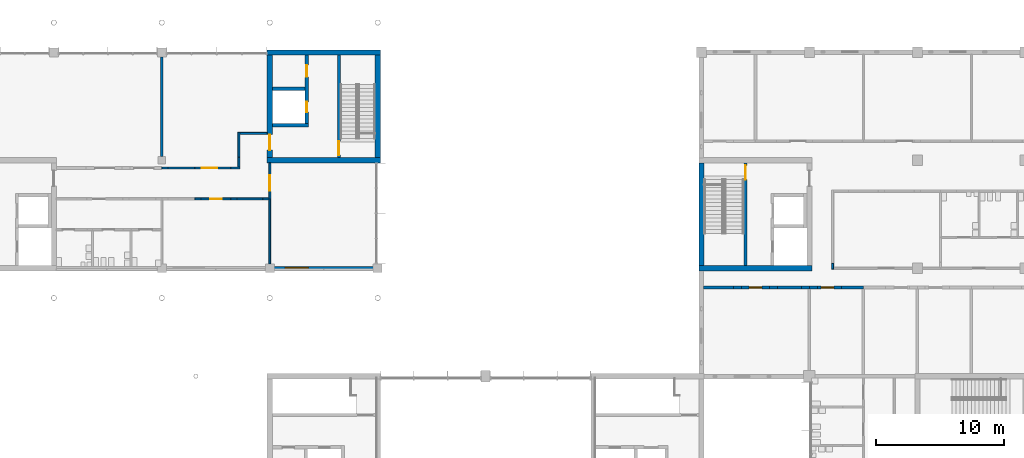
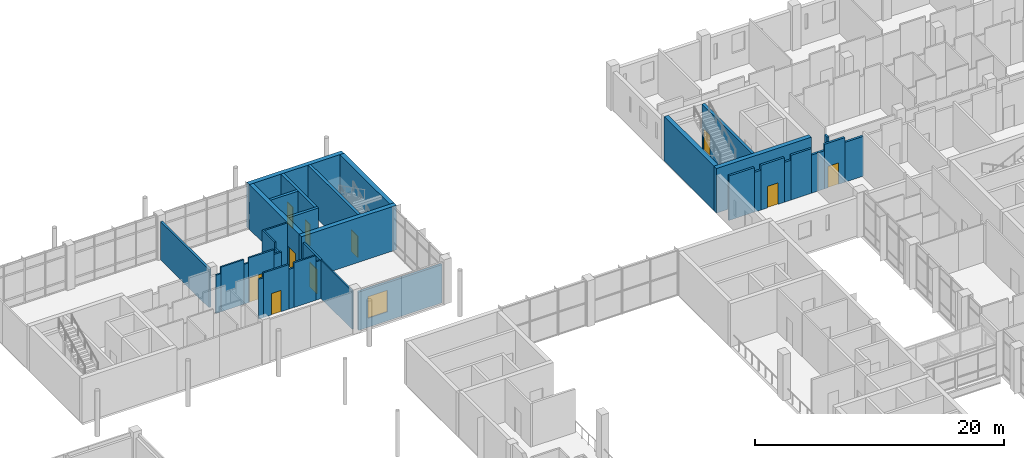
# One storey, part 45 of 70: 38 walls, 10 doors, 1 window, 11 openings.
"""IFC4 building model written with IfcOpenShell, lengths in metres."""

import ifcopenshell
import ifcopenshell.guid

model = None  # the IFC model being written
_history = None  # IfcOwnerHistory: only IFC2X3 demands one
_inside = {}  # id of a spatial element -> (the spatial element, [elements in it])
_under = {}  # id of a project, library or spatial element -> (it, [spatial elements below it])
_declared = {}  # id of a project -> (the project, [libraries it declares])
_typed = {}  # id of a type object -> (the type object, [elements of that type])
_made_of = {}  # id of a material, layer set ... -> (it, [elements and type objects made of it])


def new_model(schema):
    """Start an empty IFC model of exactly this schema.

    Asked for "IFC4X3", IfcOpenShell would pick the latest addendum, in which some entities
    have other attributes; the version numbers below select the first issue.
    IFC2X3 requires an IfcOwnerHistory on every rooted entity: one is made here for all.
    """
    global model, _history
    if schema == "IFC4X3":
        model = ifcopenshell.file(schema_version=(4, 3, 0, 0))
    else:
        model = ifcopenshell.file(schema=schema)
    _inside.clear()
    _under.clear()
    _declared.clear()
    _typed.clear()
    _made_of.clear()
    _history = None
    if model.schema == "IFC2X3":
        org = make("IfcOrganization", Name="unknown")
        user = make(
            "IfcPersonAndOrganization",
            ThePerson=make("IfcPerson", FamilyName="unknown"),
            TheOrganization=org,
        )
        app = make(
            "IfcApplication",
            ApplicationDeveloper=org,
            Version="unknown",
            ApplicationFullName="unknown",
            ApplicationIdentifier="unknown",
        )
        _history = make(
            "IfcOwnerHistory",
            OwningUser=user,
            OwningApplication=app,
            ChangeAction="ADDED",
            CreationDate=0,
        )
    return model


def make(cls, **values):
    """One entity of the class cls with the attributes given. An attribute that is None is left unset."""
    return model.create_entity(
        cls, **{name: value for name, value in values.items() if value is not None}
    )


def rooted(cls, **values):
    """An entity with a GlobalId (a new one), such as an element, a storey or a relation."""
    return make(cls, GlobalId=ifcopenshell.guid.new(), OwnerHistory=_history, **values)


def si_unit(unit_type, name, prefix=None):
    """IfcSIUnit, for example si_unit("LENGTHUNIT", "METRE", prefix="MILLI")."""
    return make("IfcSIUnit", UnitType=unit_type, Prefix=prefix, Name=name)


def assignment(units):
    """IfcUnitAssignment: the units of a project."""
    return None if units is None else make("IfcUnitAssignment", Units=units)


def point(xyz):
    """IfcCartesianPoint."""
    return None if xyz is None else make("IfcCartesianPoint", Coordinates=xyz)


def direction(xyz):
    """IfcDirection."""
    return None if xyz is None else make("IfcDirection", DirectionRatios=xyz)


def frame(location, z_axis=None, x_axis=None):
    """IfcAxis2Placement3D, a coordinate frame: its origin and axes. An axis left out is left unset."""
    return make(
        "IfcAxis2Placement3D",
        Location=point(location),
        Axis=direction(z_axis),
        RefDirection=direction(x_axis),
    )


def frame_2d(location, x_axis=None):
    """IfcAxis2Placement2D, a coordinate frame in the plane: its origin and x axis."""
    return make(
        "IfcAxis2Placement2D", Location=point(location), RefDirection=direction(x_axis)
    )


def origin():
    """The frame at (0, 0, 0) with its axes left unset."""
    return frame((0.0, 0.0, 0.0))


def place(relative_to, where):
    """IfcLocalPlacement: puts the frame where relative to a parent placement (None: the world)."""
    return make(
        "IfcLocalPlacement", PlacementRelTo=relative_to, RelativePlacement=where
    )


def context(
    kind, dimensions, precision=None, world=None, true_north=None, identifier=None
):
    """IfcGeometricRepresentationContext, for example the 3D "Model" context."""
    return make(
        "IfcGeometricRepresentationContext",
        ContextIdentifier=identifier,
        ContextType=kind,
        CoordinateSpaceDimension=dimensions,
        Precision=precision,
        WorldCoordinateSystem=world,
        TrueNorth=true_north,
    )


def subcontext(parent, identifier, kind, view, scale=None):
    """IfcGeometricRepresentationSubContext, for example "Body" below "Model"."""
    return make(
        "IfcGeometricRepresentationSubContext",
        ContextIdentifier=identifier,
        ContextType=kind,
        ParentContext=parent,
        TargetScale=scale,
        TargetView=view,
    )


def project(units=None, contexts=None):
    """IfcProject with its units and contexts."""
    return rooted(
        "IfcProject",
        Name="project",
        RepresentationContexts=contexts,
        UnitsInContext=assignment(units),
    )


def spatial(cls, under=None, at=None, **own):
    """A site, building, storey or space (cls), placed at a placement, below another one or the project."""
    s = rooted(cls, ObjectPlacement=at, **own)
    if under is not None:
        _under.setdefault(under.id(), (under, []))[1].append(s)
    return s


def profile(cls, at=None, kind="AREA", **sizes):
    """A parametric profile (cls). Its sizes go by their IFC names, for example OverallWidth=200.0."""
    return make(cls, ProfileType=kind, Position=at, **sizes)


def rectangle(**sizes):
    """IfcRectangleProfileDef."""
    return profile("IfcRectangleProfileDef", **sizes)


def extrude(swept, where, along, depth):
    """IfcExtrudedAreaSolid: the profile swept, set in the frame where, extruded along a direction by depth."""
    return make(
        "IfcExtrudedAreaSolid",
        SweptArea=swept,
        Position=where,
        ExtrudedDirection=direction(along),
        Depth=depth,
    )


def shape(context_of_items, identifier, shape_type, items):
    """IfcShapeRepresentation: the items that make up one representation, for example the "Body"."""
    return make(
        "IfcShapeRepresentation",
        ContextOfItems=context_of_items,
        RepresentationIdentifier=identifier,
        RepresentationType=shape_type,
        Items=items,
    )


def material(Name=None, Category=None):
    """IfcMaterial."""
    return make("IfcMaterial", Name=Name, Category=Category)


def layer(
    of_material, thickness, ventilated=None, Name=None, Category=None, Priority=None
):
    """IfcMaterialLayer: one layer of a wall or slab, of a material (None: an air gap)."""
    return make(
        "IfcMaterialLayer",
        Material=of_material,
        LayerThickness=thickness,
        IsVentilated=ventilated,
        Name=Name,
        Category=Category,
        Priority=Priority,
    )


def layer_set(layers, Name=None):
    """IfcMaterialLayerSet."""
    return make("IfcMaterialLayerSet", MaterialLayers=layers, LayerSetName=Name)


def made_of(thing, what):
    """Note that an element or type object is made of a material, layer set ...; save() writes the relation."""
    if what is not None:
        _made_of.setdefault(what.id(), (what, []))[1].append(thing)
    return thing


def type_object(cls, material=None, **own):
    """A type object (cls), such as IfcWallType, which elements share."""
    return made_of(rooted(cls, **own), material)


def element(
    cls,
    number,
    at=None,
    inside=None,
    cuts=None,
    type_object=None,
    material=None,
    context=None,
    identifier="Body",
    shape_type=None,
    held_by="IfcProductDefinitionShape",
    body=None,
    shapes=None,
    **own,
):
    """One element of the class cls, such as IfcWall. Its Tag is "e" and its number.

    at: its placement. inside: the storey or other place that contains it. cuts: it is an
    opening in that element (IfcRelVoidsElement). A single representation is given by context,
    identifier, shape_type and body (its items); several are given by shapes. held_by: the class
    of the entity that holds the representations. save() writes the other relations.
    """
    e = rooted(cls, Tag="e%d" % number, ObjectPlacement=at, **own)
    if body is not None:
        shapes = [shape(context, identifier, shape_type, body)]
    if shapes is not None:
        e.Representation = make(held_by, Representations=shapes)
    if inside is not None:
        _inside.setdefault(inside.id(), (inside, []))[1].append(e)
    if cuts is not None:
        rooted(
            "IfcRelVoidsElement", RelatingBuildingElement=cuts, RelatedOpeningElement=e
        )
    if type_object is not None:
        _typed.setdefault(type_object.id(), (type_object, []))[1].append(e)
    return made_of(e, material)


def fill(opening, filler):
    """IfcRelFillsElement: the door or window that sits in an opening."""
    return rooted(
        "IfcRelFillsElement",
        RelatingOpeningElement=opening,
        RelatedBuildingElement=filler,
    )


def aggregate(whole, parts):
    """IfcRelAggregates: a whole, such as a stair, and the parts it consists of."""
    return rooted("IfcRelAggregates", RelatingObject=whole, RelatedObjects=parts)


def save(model, path):
    """Write the relations noted so far, then the file.

    IfcRelAggregates (storeys below a building ...), IfcRelContainedInSpatialStructure (elements
    in a storey), IfcRelDefinesByType, IfcRelAssociatesMaterial and IfcRelDeclares: one each for
    every whole, place, type object, material and project.
    """
    for whole, parts in _under.values():
        aggregate(whole, parts)
    for where, things in _inside.values():
        rooted(
            "IfcRelContainedInSpatialStructure",
            RelatedElements=things,
            RelatingStructure=where,
        )
    for kind, things in _typed.values():
        rooted("IfcRelDefinesByType", RelatedObjects=things, RelatingType=kind)
    for what, things in _made_of.values():
        rooted("IfcRelAssociatesMaterial", RelatedObjects=things, RelatingMaterial=what)
    for by, libraries in _declared.values():
        rooted("IfcRelDeclares", RelatingContext=by, RelatedDefinitions=libraries)
    model.write(path)


model = new_model("IFC4")

# Units and contexts
model_context = context("Model", 3, precision=1e-05, world=origin(), true_north=direction((0.0, 1.0)))
body_context = subcontext(model_context, "Body", "Model", "MODEL_VIEW")
ifc_project = project(units=[si_unit("LENGTHUNIT", "METRE"), si_unit("AREAUNIT", "SQUARE_METRE"), si_unit("VOLUMEUNIT", "CUBIC_METRE"), si_unit("PLANEANGLEUNIT", "RADIAN"), si_unit("MASSUNIT", "GRAM", prefix="KILO")], contexts=[model_context])

# Site, building, storey
site_placement = place(None, origin())
site = spatial("IfcSite", under=ifc_project, at=site_placement, CompositionType="ELEMENT")
building_placement = place(site_placement, origin())
building = spatial("IfcBuilding", under=site, at=building_placement, Name="Hlaing Beacon Police Headquarters", CompositionType="ELEMENT")
storey_placement = place(building_placement, frame((0.0, 0.0, 5.39990234375)))
storey = spatial("IfcBuildingStorey", under=building, at=storey_placement, Name="L01", CompositionType="ELEMENT", Elevation=5.39990234375)

# Walls
ifc_material_1 = material(Name="Concrete blockwork 7.5 N/mm2", Category="masonry")
ifc_layer_1 = layer(ifc_material_1, 0.199951171875)
ifc_layer_set_1 = layer_set([ifc_layer_1], Name="Concrete blockwork 7.5 N/mm2")
wall_type_1 = type_object("IfcWallType", Name="Compartment wall EI 60 200", PredefinedType="PARTITIONING", material=ifc_layer_set_1)
wall_1_placement = place(storey_placement, frame((50.39990234375, 84.300048828125, 0.0), z_axis=(0.0, 0.0, 1.0), x_axis=(0.0, 1.0, 0.0)))
element("IfcWall", 1, at=wall_1_placement, inside=storey, type_object=wall_type_1, Name="Compartment wall EI 60 200", PredefinedType="PARTITIONING", context=body_context, shape_type="SweptSolid", body=[
    extrude(rectangle(XDim=7.75, YDim=0.199951171875, at=frame_2d((3.875, 0.0))), origin(), (0.0, 0.0, 1.0), 3.74609375),
])
ifc_material_2 = material(Name="Concrete C60/75", Category="concrete")
ifc_layer_2 = layer(ifc_material_2, 0.39990234375)
ifc_layer_set_2 = layer_set([ifc_layer_2], Name="Concrete C60/75")
wall_type_2 = type_object("IfcWallType", Name="Core shear wall 400", PredefinedType="SHEAR", material=ifc_layer_set_2)
for number, where, z_axis, x_axis, name in (
    (2, (58.60009765625, 84.0, 0.0), (0.0, 0.0, 1.0), (1.0, 0.0, 0.0), "Core shear wall"),
    (3, (58.60009765625, 92.39990234375, 0.0), (0.0, 0.0, 1.0), (1.0, 0.0, 0.0), "Core shear wall"),
):
    element("IfcWall", number, at=place(storey_placement, frame(where, z_axis=z_axis, x_axis=x_axis)), inside=storey, type_object=wall_type_2, Name=name, PredefinedType="SHEAR", context=body_context, shape_type="SweptSolid", body=[
        extrude(rectangle(XDim=8.7998046875, YDim=0.39990234375, at=frame_2d((4.39990234375, 0.0))), origin(), (0.0, 0.0, 1.0), 4.3701171875),
    ])

# Wall, opening, door
wall_2_placement = place(storey_placement, frame((58.800048828125, 84.199951171875, 0.0), z_axis=(0.0, 0.0, 1.0), x_axis=(0.0, 1.0, 0.0)))
wall_2 = element("IfcWall", 4, at=wall_2_placement, inside=storey, type_object=wall_type_2, Name="Core shear wall", PredefinedType="SHEAR", context=body_context, shape_type="SweptSolid", body=[
    extrude(rectangle(XDim=8.0, YDim=0.39990234375, at=frame_2d((4.0, 0.0))), origin(), (0.0, 0.0, 1.0), 4.3701171875),
])
opening_1_placement = place(wall_2_placement, frame((0.60009765625, 0.0, 0.0)))
opening_1 = element("IfcOpeningElement", 5, at=opening_1_placement, cuts=wall_2, Name="Opening L01-919", PredefinedType="OPENING", context=body_context, shape_type="SweptSolid", body=[
    extrude(rectangle(XDim=1.199951171875, YDim=2.10009765625, at=frame_2d((0.60009765625, 1.050048828125))), frame((0.0, 0.2099609375, 0.0), z_axis=(0.0, -1.0, 0.0), x_axis=(1.0, 0.0, 0.0)), (0.0, 0.0, 1.0), 0.419921875),
])
ifc_material_3 = material(Name="Steel fire door leaf", Category="steel")
ifc_layer_3 = layer(ifc_material_3, 0.070068359375)
ifc_layer_set_3 = layer_set([ifc_layer_3], Name="Steel fire door leaf")
door_type_1 = type_object("IfcDoorType", Name="Steel fire door FD60S 1200x2100", OperationType="SINGLE_SWING_LEFT", PredefinedType="DOOR", material=ifc_layer_set_3)
door_1_placement = place(opening_1_placement, frame((1.199951171875, 0.0, 0.0), z_axis=(0.0, 0.0, 1.0), x_axis=(-1.0, 0.0, 0.0)))
door_1 = element("IfcDoor", 6, at=door_1_placement, inside=storey, type_object=door_type_1, Name="Door Stair Lobby ST-F Entry", OperationType="SINGLE_SWING_RIGHT", OverallHeight=2.10009765625, OverallWidth=1.199951171875, PredefinedType="DOOR", context=body_context, shape_type="SweptSolid", body=[
    extrude(rectangle(XDim=1.199951171875, YDim=2.10009765625, at=frame_2d((0.599853515625, 1.050048828125))), frame((0.0, 0.034912109375, 0.0), z_axis=(0.0, -1.0, 0.0), x_axis=(1.0, 0.0, 0.0)), (0.0, 0.0, 1.0), 0.070068359375),
])
fill(opening_1, door_1)

# Walls
wall_3_placement = place(storey_placement, frame((67.199951171875, 84.199951171875, 0.0), z_axis=(0.0, 0.0, 1.0), x_axis=(0.0, 1.0, 0.0)))
element("IfcWall", 7, at=wall_3_placement, inside=storey, type_object=wall_type_2, Name="Core shear wall", PredefinedType="SHEAR", context=body_context, shape_type="SweptSolid", body=[
    extrude(rectangle(XDim=8.0, YDim=0.39990234375, at=frame_2d((4.0, 0.0))), origin(), (0.0, 0.0, 1.0), 4.3701171875),
])
wall_4_placement = place(storey_placement, frame((92.199951171875, 75.60009765625, 0.0), z_axis=(0.0, 0.0, 1.0), x_axis=(1.0, 0.0, 0.0)))
element("IfcWall", 8, at=wall_4_placement, inside=storey, type_object=wall_type_2, Name="Core shear wall", PredefinedType="SHEAR", context=body_context, shape_type="SweptSolid", body=[
    extrude(rectangle(XDim=8.800048828125, YDim=0.39990234375, at=frame_2d((4.39990234375, 0.0))), origin(), (0.0, 0.0, 1.0), 4.3701171875),
])
wall_5_placement = place(storey_placement, frame((92.39990234375, 75.800048828125, 0.0), z_axis=(0.0, 0.0, 1.0), x_axis=(0.0, 1.0, 0.0)))
element("IfcWall", 9, at=wall_5_placement, inside=storey, type_object=wall_type_2, Name="Core shear wall", PredefinedType="SHEAR", context=body_context, shape_type="SweptSolid", body=[
    extrude(rectangle(XDim=8.0, YDim=0.39990234375, at=frame_2d((4.0, 0.0))), origin(), (0.0, 0.0, 1.0), 4.3701171875),
])

# Wall, opening, door
ifc_material_4 = material(Name="Gypsum board partition")
ifc_layer_4 = layer(ifc_material_4, 0.14990234375)
ifc_layer_set_4 = layer_set([ifc_layer_4], Name="Gypsum board partition")
wall_type_3 = type_object("IfcWallType", Name="Corridor wall EI 30 150", PredefinedType="PARTITIONING", material=ifc_layer_set_4)
wall_6_placement = place(storey_placement, frame((58.800048828125, 81.0, 0.0), z_axis=(0.0, 0.0, 1.0), x_axis=(0.0, 1.0, 0.0)))
wall_6 = element("IfcWall", 10, at=wall_6_placement, inside=storey, type_object=wall_type_3, Name="Corridor wall EI 30 150", PredefinedType="PARTITIONING", context=body_context, shape_type="SweptSolid", body=[
    extrude(rectangle(XDim=2.800048828125, YDim=0.14990234375, at=frame_2d((1.39990234375, 0.0))), origin(), (0.0, 0.0, 1.0), 3.74609375),
])
opening_2_placement = place(wall_6_placement, frame((0.64990234375, 0.0, 0.0)))
opening_2 = element("IfcOpeningElement", 11, at=opening_2_placement, cuts=wall_6, Name="Opening L01-010", PredefinedType="OPENING", context=body_context, shape_type="SweptSolid", body=[
    extrude(rectangle(XDim=1.199951171875, YDim=2.39990234375, at=frame_2d((0.60009765625, 1.199951171875))), frame((0.0, 0.0849609375, 0.0), z_axis=(0.0, -1.0, 0.0), x_axis=(1.0, 0.0, 0.0)), (0.0, 0.0, 1.0), 0.169921875),
])
ifc_material_5 = material(Name="Hardwood door leaf", Category="wood")
ifc_layer_5 = layer(ifc_material_5, 0.050048828125)
ifc_layer_set_5 = layer_set([ifc_layer_5], Name="Hardwood door leaf")
door_type_2 = type_object("IfcDoorType", Name="Fire public door FD30S 1200x2400", OperationType="SINGLE_SWING_LEFT", PredefinedType="DOOR", material=ifc_layer_set_5)
door_2_placement = place(opening_2_placement, frame((1.199951171875, 0.0, 0.0), z_axis=(0.0, 0.0, 1.0), x_axis=(-1.0, 0.0, 0.0)))
door_2 = element("IfcDoor", 12, at=door_2_placement, inside=storey, type_object=door_type_2, Name="Door Briefing Room", OperationType="SINGLE_SWING_RIGHT", OverallHeight=2.39990234375, OverallWidth=1.199951171875, PredefinedType="DOOR", context=body_context, shape_type="SweptSolid", body=[
    extrude(rectangle(XDim=1.199951171875, YDim=2.39990234375, at=frame_2d((0.599853515625, 1.199951171875))), frame((0.0, 0.025146484375, 0.0), z_axis=(0.0, -1.0, 0.0), x_axis=(1.0, 0.0, 0.0)), (0.0, 0.0, 1.0), 0.050048828125),
])
fill(opening_2, door_2)

# Wall
wall_7_placement = place(storey_placement, frame((52.969970703125, 81.0, 0.0), z_axis=(0.0, 0.0, 1.0), x_axis=(1.0, 0.0, 0.0)))
element("IfcWall", 13, at=wall_7_placement, inside=storey, type_object=wall_type_3, Name="Corridor wall EI 30 150", PredefinedType="PARTITIONING", context=body_context, shape_type="SweptSolid", body=[
    extrude(rectangle(XDim=0.4599609375, YDim=0.14990234375, at=frame_2d((0.22998046875, 0.0))), origin(), (0.0, 0.0, 1.0), 3.89501953125),
])

# Wall, opening, door
wall_8_placement = place(storey_placement, frame((53.429931640625, 81.0, 0.0), z_axis=(0.0, 0.0, 1.0), x_axis=(1.0, 0.0, 0.0)))
wall_8 = element("IfcWall", 14, at=wall_8_placement, inside=storey, type_object=wall_type_3, Name="Corridor wall EI 30 150", PredefinedType="PARTITIONING", context=body_context, shape_type="SweptSolid", body=[
    extrude(rectangle(XDim=2.340087890625, YDim=0.14990234375, at=frame_2d((1.169921875, 0.0))), origin(), (0.0, 0.0, 1.0), 4.3701171875),
])
opening_3_placement = place(wall_8_placement, frame((0.719970703125, 0.0, 0.0)))
opening_3 = element("IfcOpeningElement", 15, at=opening_3_placement, cuts=wall_8, Name="Opening L01-013", PredefinedType="OPENING", context=body_context, shape_type="SweptSolid", body=[
    extrude(rectangle(XDim=0.89990234375, YDim=2.10009765625, at=frame_2d((0.449951171875, 1.050048828125))), frame((0.0, 0.0849609375, 0.0), z_axis=(0.0, -1.0, 0.0), x_axis=(1.0, 0.0, 0.0)), (0.0, 0.0, 1.0), 0.169921875),
])
ifc_material_6 = material(Name="Hardwood door leaf", Category="wood")
ifc_layer_6 = layer(ifc_material_6, 0.050048828125)
ifc_layer_set_6 = layer_set([ifc_layer_6], Name="Hardwood door leaf")
door_type_3 = type_object("IfcDoorType", Name="Fire door FD30S 900x2100", OperationType="SINGLE_SWING_LEFT", PredefinedType="DOOR", material=ifc_layer_set_6)
door_3_placement = place(opening_3_placement, frame((0.89990234375, 0.0, 0.0), z_axis=(0.0, 0.0, 1.0), x_axis=(-1.0, 0.0, 0.0)))
door_3 = element("IfcDoor", 16, at=door_3_placement, inside=storey, type_object=door_type_3, Name="Door Duty Officers' Rest Room", OperationType="SINGLE_SWING_LEFT", OverallHeight=2.10009765625, OverallWidth=0.89990234375, PredefinedType="DOOR", context=body_context, shape_type="SweptSolid", body=[
    extrude(rectangle(XDim=0.89990234375, YDim=2.10009765625, at=frame_2d((0.449951171875, 1.050048828125))), frame((0.0, 0.025146484375, 0.0), z_axis=(0.0, -1.0, 0.0), x_axis=(1.0, 0.0, 0.0)), (0.0, 0.0, 1.0), 0.050048828125),
])
fill(opening_3, door_3)

# Walls
wall_9_placement = place(storey_placement, frame((55.77001953125, 81.0, 0.0), z_axis=(0.0, 0.0, 1.0), x_axis=(1.0, 0.0, 0.0)))
element("IfcWall", 17, at=wall_9_placement, inside=storey, type_object=wall_type_3, Name="Corridor wall EI 30 150", PredefinedType="PARTITIONING", context=body_context, shape_type="SweptSolid", body=[
    extrude(rectangle(XDim=0.4599609375, YDim=0.14990234375, at=frame_2d((0.22998046875, 0.0))), origin(), (0.0, 0.0, 1.0), 3.89501953125),
])
wall_10_placement = place(storey_placement, frame((56.22998046875, 81.0, 0.0), z_axis=(0.0, 0.0, 1.0), x_axis=(1.0, 0.0, 0.0)))
element("IfcWall", 18, at=wall_10_placement, inside=storey, type_object=wall_type_3, Name="Corridor wall EI 30 150", PredefinedType="PARTITIONING", context=body_context, shape_type="SweptSolid", body=[
    extrude(rectangle(XDim=2.034912109375, YDim=0.14990234375, at=frame_2d((1.017578125, 0.0))), origin(), (0.0, 0.0, 1.0), 4.3701171875),
])
for number, where, z_axis, x_axis, name in (
    (19, (58.264892578125, 81.0, 0.0), (0.0, 0.0, 1.0), (1.0, 0.0, 0.0), "Corridor wall EI 30 150"),
    (20, (50.39990234375, 83.39990234375, 0.0), (0.0, 0.0, 1.0), (1.0, 0.0, 0.0), "Corridor wall EI 30 150"),
):
    element("IfcWall", number, at=place(storey_placement, frame(where, z_axis=z_axis, x_axis=x_axis)), inside=storey, type_object=wall_type_3, Name=name, PredefinedType="PARTITIONING", context=body_context, shape_type="SweptSolid", body=[
        extrude(rectangle(XDim=0.460205078125, YDim=0.14990234375, at=frame_2d((0.22998046875, 0.0))), origin(), (0.0, 0.0, 1.0), 3.74609375),
    ])
wall_11_placement = place(storey_placement, frame((50.860107421875, 83.39990234375, 0.0), z_axis=(0.0, 0.0, 1.0), x_axis=(1.0, 0.0, 0.0)))
element("IfcWall", 21, at=wall_11_placement, inside=storey, type_object=wall_type_3, Name="Corridor wall EI 30 150", PredefinedType="PARTITIONING", context=body_context, shape_type="SweptSolid", body=[
    extrude(rectangle(XDim=2.10986328125, YDim=0.14990234375, at=frame_2d((1.054931640625, 0.0))), origin(), (0.0, 0.0, 1.0), 4.3701171875),
])
wall_12_placement = place(storey_placement, frame((52.969970703125, 83.39990234375, 0.0), z_axis=(0.0, 0.0, 1.0), x_axis=(1.0, 0.0, 0.0)))
element("IfcWall", 22, at=wall_12_placement, inside=storey, type_object=wall_type_3, Name="Corridor wall EI 30 150", PredefinedType="PARTITIONING", context=body_context, shape_type="SweptSolid", body=[
    extrude(rectangle(XDim=0.4599609375, YDim=0.14990234375, at=frame_2d((0.22998046875, 0.0))), origin(), (0.0, 0.0, 1.0), 3.89501953125),
])

# Wall, opening, door
wall_13_placement = place(storey_placement, frame((53.429931640625, 83.39990234375, 0.0), z_axis=(0.0, 0.0, 1.0), x_axis=(1.0, 0.0, 0.0)))
wall_13 = element("IfcWall", 23, at=wall_13_placement, inside=storey, type_object=wall_type_3, Name="Corridor wall EI 30 150", PredefinedType="PARTITIONING", context=body_context, shape_type="SweptSolid", body=[
    extrude(rectangle(XDim=2.340087890625, YDim=0.14990234375, at=frame_2d((1.169921875, 0.0))), origin(), (0.0, 0.0, 1.0), 4.3701171875),
])
opening_4_placement = place(wall_13_placement, frame((0.070068359375, 0.0, 0.0)))
opening_4 = element("IfcOpeningElement", 24, at=opening_4_placement, cuts=wall_13, Name="Opening L01-014", PredefinedType="OPENING", context=body_context, shape_type="SweptSolid", body=[
    extrude(rectangle(XDim=1.199951171875, YDim=2.39990234375, at=frame_2d((0.60009765625, 1.199951171875))), frame((0.0, 0.0849609375, 0.0), z_axis=(0.0, -1.0, 0.0), x_axis=(1.0, 0.0, 0.0)), (0.0, 0.0, 1.0), 0.169921875),
])
door_4_placement = place(opening_4_placement, origin())
door_4 = element("IfcDoor", 25, at=door_4_placement, inside=storey, type_object=door_type_2, Name="Door Emergency Planning Room", OperationType="SINGLE_SWING_RIGHT", OverallHeight=2.39990234375, OverallWidth=1.199951171875, PredefinedType="DOOR", context=body_context, shape_type="SweptSolid", body=[
    extrude(rectangle(XDim=1.199951171875, YDim=2.39990234375, at=frame_2d((0.60009765625, 1.199951171875))), frame((0.0, 0.02490234375, 0.0), z_axis=(0.0, -1.0, 0.0), x_axis=(1.0, 0.0, 0.0)), (0.0, 0.0, 1.0), 0.050048828125),
])
fill(opening_4, door_4)

# Walls
wall_14_placement = place(storey_placement, frame((55.77001953125, 83.39990234375, 0.0), z_axis=(0.0, 0.0, 1.0), x_axis=(1.0, 0.0, 0.0)))
element("IfcWall", 26, at=wall_14_placement, inside=storey, type_object=wall_type_3, Name="Corridor wall EI 30 150", PredefinedType="PARTITIONING", context=body_context, shape_type="SweptSolid", body=[
    extrude(rectangle(XDim=0.705078125, YDim=0.14990234375, at=frame_2d((0.3525390625, 0.0))), origin(), (0.0, 0.0, 1.0), 3.89501953125),
])
wall_15_placement = place(storey_placement, frame((56.39990234375, 83.47509765625, 0.0), z_axis=(0.0, 0.0, 1.0), x_axis=(0.0, 1.0, 0.0)))
element("IfcWall", 27, at=wall_15_placement, inside=storey, type_object=wall_type_3, Name="Corridor wall EI 30 150", PredefinedType="PARTITIONING", context=body_context, shape_type="SweptSolid", body=[
    extrude(rectangle(XDim=0.7548828125, YDim=0.14990234375, at=frame_2d((0.37744140625, 0.0))), origin(), (0.0, 0.0, 1.0), 3.74609375),
])
wall_16_placement = place(storey_placement, frame((56.39990234375, 84.22998046875, 0.0), z_axis=(0.0, 0.0, 1.0), x_axis=(0.0, 1.0, 0.0)))
element("IfcWall", 28, at=wall_16_placement, inside=storey, type_object=wall_type_3, Name="Corridor wall EI 30 150", PredefinedType="PARTITIONING", context=body_context, shape_type="SweptSolid", body=[
    extrude(rectangle(XDim=1.945068359375, YDim=0.14990234375, at=frame_2d((0.97265625, 0.0))), origin(), (0.0, 0.0, 1.0), 4.3701171875),
])
wall_17_placement = place(storey_placement, frame((56.47509765625, 86.10009765625, 0.0), z_axis=(0.0, 0.0, 1.0), x_axis=(1.0, 0.0, 0.0)))
element("IfcWall", 29, at=wall_17_placement, inside=storey, type_object=wall_type_3, Name="Corridor wall EI 30 150", PredefinedType="PARTITIONING", context=body_context, shape_type="SweptSolid", body=[
    extrude(rectangle(XDim=2.125, YDim=0.14990234375, at=frame_2d((1.0625, 0.0))), origin(), (0.0, 0.0, 1.0), 4.3701171875),
])
wall_18_placement = place(storey_placement, frame((102.60009765625, 75.52490234375, 0.0), z_axis=(0.0, 0.0, 1.0), x_axis=(0.0, 1.0, 0.0)))
element("IfcWall", 30, at=wall_18_placement, inside=storey, type_object=wall_type_3, Name="Corridor wall EI 30 150", PredefinedType="PARTITIONING", context=body_context, shape_type="SweptSolid", body=[
    extrude(rectangle(XDim=0.460205078125, YDim=0.14990234375, at=frame_2d((0.22998046875, 0.0))), origin(), (0.0, 0.0, 1.0), 3.74609375),
])
ifc_material_7 = material(Name="Concrete blockwork 7.5 N/mm2", Category="masonry")
ifc_layer_7 = layer(ifc_material_7, 0.199951171875)
ifc_layer_set_7 = layer_set([ifc_layer_7], Name="Concrete blockwork 7.5 N/mm2")
wall_type_4 = type_object("IfcWallType", Name="Custody wall EI 60 200", PredefinedType="PARTITIONING", material=ifc_layer_set_7)
wall_19_placement = place(storey_placement, frame((92.550048828125, 74.10009765625, 0.0), z_axis=(0.0, 0.0, 1.0), x_axis=(1.0, 0.0, 0.0)))
element("IfcWall", 31, at=wall_19_placement, inside=storey, type_object=wall_type_4, Name="Custody wall EI 60 200", PredefinedType="PARTITIONING", context=body_context, shape_type="SweptSolid", body=[
    extrude(rectangle(XDim=2.344970703125, YDim=0.199951171875, at=frame_2d((1.17236328125, 0.0))), origin(), (0.0, 0.0, 1.0), 4.3701171875),
])
wall_20_placement = place(storey_placement, frame((94.89501953125, 74.10009765625, 0.0), z_axis=(0.0, 0.0, 1.0), x_axis=(1.0, 0.0, 0.0)))
element("IfcWall", 32, at=wall_20_placement, inside=storey, type_object=wall_type_4, Name="Custody wall EI 60 200", PredefinedType="PARTITIONING", context=body_context, shape_type="SweptSolid", body=[
    extrude(rectangle(XDim=0.60986328125, YDim=0.199951171875, at=frame_2d((0.304931640625, 0.0))), origin(), (0.0, 0.0, 1.0), 3.89501953125),
])

# Wall, opening, door
wall_21_placement = place(storey_placement, frame((95.5048828125, 74.10009765625, 0.0), z_axis=(0.0, 0.0, 1.0), x_axis=(1.0, 0.0, 0.0)))
wall_21 = element("IfcWall", 33, at=wall_21_placement, inside=storey, type_object=wall_type_4, Name="Custody wall EI 60 200", PredefinedType="PARTITIONING", context=body_context, shape_type="SweptSolid", body=[
    extrude(rectangle(XDim=2.190185546875, YDim=0.199951171875, at=frame_2d((1.09521484375, 0.0))), origin(), (0.0, 0.0, 1.0), 4.3701171875),
])
opening_5_placement = place(wall_21_placement, frame((0.594970703125, 0.0, 0.0)))
opening_5 = element("IfcOpeningElement", 34, at=opening_5_placement, cuts=wall_21, Name="Opening L01-081", PredefinedType="OPENING", context=body_context, shape_type="SweptSolid", body=[
    extrude(rectangle(XDim=1.0, YDim=2.10009765625, at=frame_2d((0.5, 1.050048828125))), frame((0.0, 0.10986328125, 0.0), z_axis=(0.0, -1.0, 0.0), x_axis=(1.0, 0.0, 0.0)), (0.0, 0.0, 1.0), 0.219970703125),
])
ifc_material_8 = material(Name="Steel security door leaf", Category="steel")
ifc_layer_8 = layer(ifc_material_8, 0.090087890625)
ifc_layer_set_8 = layer_set([ifc_layer_8], Name="Steel security door leaf")
door_type_4 = type_object("IfcDoorType", Name="Steel security door FD60 1000x2100", OperationType="SINGLE_SWING_LEFT", PredefinedType="DOOR", material=ifc_layer_set_8)
door_5_placement = place(opening_5_placement, frame((1.0, 0.0, 0.0), z_axis=(0.0, 0.0, 1.0), x_axis=(-1.0, 0.0, 0.0)))
door_5 = element("IfcDoor", 35, at=door_5_placement, inside=storey, type_object=door_type_4, Name="Door Custody Healthcare Room", OperationType="SINGLE_SWING_RIGHT", OverallHeight=2.10009765625, OverallWidth=1.0, PredefinedType="DOOR", context=body_context, shape_type="SweptSolid", body=[
    extrude(rectangle(XDim=1.0, YDim=2.10009765625, at=frame_2d((0.5, 1.050048828125))), frame((0.0, 0.045166015625, 0.0), z_axis=(0.0, -1.0, 0.0), x_axis=(1.0, 0.0, 0.0)), (0.0, 0.0, 1.0), 0.090087890625),
])
fill(opening_5, door_5)

# Walls
wall_22_placement = place(storey_placement, frame((97.695068359375, 74.10009765625, 0.0), z_axis=(0.0, 0.0, 1.0), x_axis=(1.0, 0.0, 0.0)))
element("IfcWall", 36, at=wall_22_placement, inside=storey, type_object=wall_type_4, Name="Custody wall EI 60 200", PredefinedType="PARTITIONING", context=body_context, shape_type="SweptSolid", body=[
    extrude(rectangle(XDim=0.60986328125, YDim=0.199951171875, at=frame_2d((0.304931640625, 0.0))), origin(), (0.0, 0.0, 1.0), 3.89501953125),
])
wall_23_placement = place(storey_placement, frame((98.304931640625, 74.10009765625, 0.0), z_axis=(0.0, 0.0, 1.0), x_axis=(1.0, 0.0, 0.0)))
element("IfcWall", 37, at=wall_23_placement, inside=storey, type_object=wall_type_4, Name="Custody wall EI 60 200", PredefinedType="PARTITIONING", context=body_context, shape_type="SweptSolid", body=[
    extrude(rectangle(XDim=1.885009765625, YDim=0.199951171875, at=frame_2d((0.9423828125, 0.0))), origin(), (0.0, 0.0, 1.0), 4.3701171875),
])
wall_24_placement = place(storey_placement, frame((100.18994140625, 74.10009765625, 0.0), z_axis=(0.0, 0.0, 1.0), x_axis=(1.0, 0.0, 0.0)))
element("IfcWall", 38, at=wall_24_placement, inside=storey, type_object=wall_type_4, Name="Custody wall EI 60 200", PredefinedType="PARTITIONING", context=body_context, shape_type="SweptSolid", body=[
    extrude(rectangle(XDim=0.610107421875, YDim=0.199951171875, at=frame_2d((0.30517578125, 0.0))), origin(), (0.0, 0.0, 1.0), 3.74609375),
])
wall_25_placement = place(storey_placement, frame((100.800048828125, 74.10009765625, 0.0), z_axis=(0.0, 0.0, 1.0), x_axis=(1.0, 0.0, 0.0)))
element("IfcWall", 39, at=wall_25_placement, inside=storey, type_object=wall_type_4, Name="Custody wall EI 60 200", PredefinedType="PARTITIONING", context=body_context, shape_type="SweptSolid", body=[
    extrude(rectangle(XDim=0.60986328125, YDim=0.199951171875, at=frame_2d((0.304931640625, 0.0))), origin(), (0.0, 0.0, 1.0), 3.74609375),
])

# Wall, opening, door
wall_26_placement = place(storey_placement, frame((101.409912109375, 74.10009765625, 0.0), z_axis=(0.0, 0.0, 1.0), x_axis=(1.0, 0.0, 0.0)))
wall_26 = element("IfcWall", 40, at=wall_26_placement, inside=storey, type_object=wall_type_4, Name="Custody wall EI 60 200", PredefinedType="PARTITIONING", context=body_context, shape_type="SweptSolid", body=[
    extrude(rectangle(XDim=1.885009765625, YDim=0.199951171875, at=frame_2d((0.9423828125, 0.0))), origin(), (0.0, 0.0, 1.0), 4.3701171875),
])
opening_6_placement = place(wall_26_placement, frame((0.2900390625, 0.0, 0.0)))
opening_6 = element("IfcOpeningElement", 41, at=opening_6_placement, cuts=wall_26, Name="Opening L01-082", PredefinedType="OPENING", context=body_context, shape_type="SweptSolid", body=[
    extrude(rectangle(XDim=1.0, YDim=2.10009765625, at=frame_2d((0.5, 1.050048828125))), frame((0.0, 0.10986328125, 0.0), z_axis=(0.0, -1.0, 0.0), x_axis=(1.0, 0.0, 0.0)), (0.0, 0.0, 1.0), 0.219970703125),
])
door_6_placement = place(opening_6_placement, frame((1.0, 0.0, 0.0), z_axis=(0.0, 0.0, 1.0), x_axis=(-1.0, 0.0, 0.0)))
door_6 = element("IfcDoor", 42, at=door_6_placement, inside=storey, type_object=door_type_4, Name="Door Biometrics Room", OperationType="SINGLE_SWING_LEFT", OverallHeight=2.10009765625, OverallWidth=1.0, PredefinedType="DOOR", context=body_context, shape_type="SweptSolid", body=[
    extrude(rectangle(XDim=1.0, YDim=2.10009765625, at=frame_2d((0.5, 1.050048828125))), frame((0.0, 0.045166015625, 0.0), z_axis=(0.0, -1.0, 0.0), x_axis=(1.0, 0.0, 0.0)), (0.0, 0.0, 1.0), 0.090087890625),
])
fill(opening_6, door_6)

# Wall
wall_27_placement = place(storey_placement, frame((103.294921875, 74.10009765625, 0.0), z_axis=(0.0, 0.0, 1.0), x_axis=(1.0, 0.0, 0.0)))
element("IfcWall", 43, at=wall_27_placement, inside=storey, type_object=wall_type_4, Name="Custody wall EI 60 200", PredefinedType="PARTITIONING", context=body_context, shape_type="SweptSolid", body=[
    extrude(rectangle(XDim=1.705078125, YDim=0.199951171875, at=frame_2d((0.8525390625, 0.0))), origin(), (0.0, 0.0, 1.0), 3.89501953125),
])

# Wall, opening, window
ifc_material_9 = material(Name="Insulated aluminium cladding system", Category="aluminium")
ifc_layer_9 = layer(ifc_material_9, 0.199951171875)
ifc_layer_set_9 = layer_set([ifc_layer_9], Name="Insulated aluminium cladding system")
wall_type_5 = type_object("IfcWallType", Name="Insulated aluminium clad wall 200", PredefinedType="SOLIDWALL", material=ifc_layer_set_9)
wall_28_placement = place(storey_placement, frame((59.1298828125, 75.64990234375, 0.0), z_axis=(0.0, 0.0, 1.0), x_axis=(1.0, 0.0, 0.0)))
wall_28 = element("IfcWall", 44, at=wall_28_placement, inside=storey, type_object=wall_type_5, Name="External wall L01 S049", PredefinedType="SOLIDWALL", context=body_context, shape_type="SweptSolid", body=[
    extrude(rectangle(XDim=7.740234375, YDim=0.199951171875, at=frame_2d((3.8701171875, 0.0))), origin(), (0.0, 0.0, 1.0), 3.74609375),
])
opening_7_placement = place(wall_28_placement, frame((0.8701171875, 0.0, 0.89990234375)))
opening_7 = element("IfcOpeningElement", 45, at=opening_7_placement, cuts=wall_28, Name="Opening WN16", PredefinedType="OPENING", context=body_context, shape_type="SweptSolid", body=[
    extrude(rectangle(XDim=1.800048828125, YDim=2.10009765625, at=frame_2d((0.89990234375, 1.050048828125))), frame((0.0, 0.10986328125, 0.0), z_axis=(0.0, -1.0, 0.0), x_axis=(1.0, 0.0, 0.0)), (0.0, 0.0, 1.0), 0.219970703125),
])
ifc_material_10 = material(Name="Aluminium frame with solar control glazing", Category="aluminium")
window_type = type_object("IfcWindowType", Name="Wide window 1800x2100 frame 80", PartitioningType="SINGLE_PANEL", PredefinedType="WINDOW", material=ifc_material_10)
window_placement = place(opening_7_placement, origin())
window = element("IfcWindow", 46, at=window_placement, inside=storey, type_object=window_type, Name="Window L01 WM", OverallHeight=2.10009765625, OverallWidth=1.800048828125, PartitioningType="SINGLE_PANEL", PredefinedType="WINDOW", context=body_context, shape_type="SweptSolid", body=[
    extrude(rectangle(XDim=1.800048828125, YDim=2.10009765625, at=frame_2d((0.89990234375, 1.050048828125))), frame((0.0, 0.0400390625, 0.0), z_axis=(0.0, -1.0, 0.0), x_axis=(1.0, 0.0, 0.0)), (0.0, 0.0, 1.0), 0.080078125),
])
fill(opening_7, window)

# Wall
ifc_material_11 = material(Name="Gypsum board partition")
ifc_layer_10 = layer(ifc_material_11, 0.125)
ifc_layer_set_10 = layer_set([ifc_layer_10], Name="Gypsum board partition")
wall_type_6 = type_object("IfcWallType", Name="Partition 125", PredefinedType="PARTITIONING", material=ifc_layer_set_10)
wall_29_placement = place(storey_placement, frame((58.800048828125, 75.949951171875, 0.0), z_axis=(0.0, 0.0, 1.0), x_axis=(0.0, 1.0, 0.0)))
element("IfcWall", 47, at=wall_29_placement, inside=storey, type_object=wall_type_6, Name="Partition 125", PredefinedType="PARTITIONING", context=body_context, shape_type="SweptSolid", body=[
    extrude(rectangle(XDim=5.050048828125, YDim=0.125, at=frame_2d((2.52490234375, 0.0))), origin(), (0.0, 0.0, 1.0), 3.74609375),
])

# Wall, opening, door
ifc_material_12 = material(Name="Concrete C40/50", Category="concrete")
ifc_layer_11 = layer(ifc_material_12, 0.25)
ifc_layer_set_11 = layer_set([ifc_layer_11], Name="Concrete C40/50")
wall_type_7 = type_object("IfcWallType", Name="Shaft wall 250", PredefinedType="SOLIDWALL", material=ifc_layer_set_11)
wall_30_placement = place(storey_placement, frame((64.175048828125, 84.199951171875, 0.0), z_axis=(0.0, 0.0, 1.0), x_axis=(0.0, 1.0, 0.0)))
wall_30 = element("IfcWall", 48, at=wall_30_placement, inside=storey, type_object=wall_type_7, Name="Stair enclosure wall", PredefinedType="SOLIDWALL", context=body_context, shape_type="SweptSolid", body=[
    extrude(rectangle(XDim=8.0, YDim=0.25, at=frame_2d((4.0, 0.0))), origin(), (0.0, 0.0, 1.0), 4.3701171875),
])
opening_8_placement = place(wall_30_placement, frame((0.199951171875, 0.0, 0.0)))
opening_8 = element("IfcOpeningElement", 49, at=opening_8_placement, cuts=wall_30, Name="Opening L01-921", PredefinedType="OPENING", context=body_context, shape_type="SweptSolid", body=[
    extrude(rectangle(XDim=1.10009765625, YDim=2.10009765625, at=frame_2d((0.550048828125, 1.050048828125))), frame((0.0, 0.135009765625, 0.0), z_axis=(0.0, -1.0, 0.0), x_axis=(1.0, 0.0, 0.0)), (0.0, 0.0, 1.0), 0.27001953125),
])
ifc_material_13 = material(Name="Steel fire door leaf", Category="steel")
ifc_layer_12 = layer(ifc_material_13, 0.070068359375)
ifc_layer_set_12 = layer_set([ifc_layer_12], Name="Steel fire door leaf")
door_type_5 = type_object("IfcDoorType", Name="Steel fire door FD60 1100x2100", OperationType="SINGLE_SWING_LEFT", PredefinedType="DOOR", material=ifc_layer_set_12)
door_7_placement = place(opening_8_placement, frame((1.10009765625, 0.0, 0.0), z_axis=(0.0, 0.0, 1.0), x_axis=(-1.0, 0.0, 0.0)))
door_7 = element("IfcDoor", 50, at=door_7_placement, inside=storey, type_object=door_type_5, Name="Door Stair ST-F", OperationType="SINGLE_SWING_LEFT", OverallHeight=2.10009765625, OverallWidth=1.10009765625, PredefinedType="DOOR", context=body_context, shape_type="SweptSolid", body=[
    extrude(rectangle(XDim=1.10009765625, YDim=2.10009765625, at=frame_2d((0.550048828125, 1.050048828125))), frame((0.0, 0.034912109375, 0.0), z_axis=(0.0, -1.0, 0.0), x_axis=(1.0, 0.0, 0.0)), (0.0, 0.0, 1.0), 0.070068359375),
])
fill(opening_8, door_7)

# Wall
wall_31_placement = place(storey_placement, frame((61.800048828125, 86.72509765625, 0.0), z_axis=(0.0, 0.0, 1.0), x_axis=(-1.0, 0.0, 0.0)))
element("IfcWall", 51, at=wall_31_placement, inside=storey, type_object=wall_type_7, Name="Lobby wall", PredefinedType="SOLIDWALL", context=body_context, shape_type="SweptSolid", body=[
    extrude(rectangle(XDim=2.800048828125, YDim=0.25, at=frame_2d((1.39990234375, 0.0))), origin(), (0.0, 0.0, 1.0), 4.3701171875),
])

# Wall, openings, doors
wall_32_placement = place(storey_placement, frame((61.675048828125, 86.85009765625, 0.0), z_axis=(0.0, 0.0, 1.0), x_axis=(0.0, 1.0, 0.0)))
wall_32 = element("IfcWall", 52, at=wall_32_placement, inside=storey, type_object=wall_type_7, Name="Lobby wall", PredefinedType="SOLIDWALL", context=body_context, shape_type="SweptSolid", body=[
    extrude(rectangle(XDim=5.349853515625, YDim=0.25, at=frame_2d((2.6748046875, 0.0))), origin(), (0.0, 0.0, 1.0), 4.3701171875),
])
opening_9_placement = place(wall_32_placement, frame((3.64990234375, 0.0, 0.0)))
opening_9 = element("IfcOpeningElement", 53, at=opening_9_placement, cuts=wall_32, Name="Opening L01-918", PredefinedType="OPENING", context=body_context, shape_type="SweptSolid", body=[
    extrude(rectangle(XDim=0.89990234375, YDim=2.10009765625, at=frame_2d((0.449951171875, 1.050048828125))), frame((0.0, 0.135009765625, 0.0), z_axis=(0.0, -1.0, 0.0), x_axis=(1.0, 0.0, 0.0)), (0.0, 0.0, 1.0), 0.27001953125),
])
opening_10_placement = place(wall_32_placement, frame((0.89990234375, 0.0, 0.0)))
opening_10 = element("IfcOpeningElement", 54, at=opening_10_placement, cuts=wall_32, Name="Opening L01-920", PredefinedType="OPENING", context=body_context, shape_type="SweptSolid", body=[
    extrude(rectangle(XDim=0.800048828125, YDim=2.10009765625, at=frame_2d((0.39990234375, 1.050048828125))), frame((0.0, 0.135009765625, 0.0), z_axis=(0.0, -1.0, 0.0), x_axis=(1.0, 0.0, 0.0)), (0.0, 0.0, 1.0), 0.27001953125),
])
ifc_material_14 = material(Name="Steel fire door leaf", Category="steel")
ifc_layer_13 = layer(ifc_material_14, 0.070068359375)
ifc_layer_set_13 = layer_set([ifc_layer_13], Name="Steel fire door leaf")
door_type_6 = type_object("IfcDoorType", Name="Steel fire door FD60 800x2100", OperationType="SINGLE_SWING_LEFT", PredefinedType="DOOR", material=ifc_layer_set_13)
door_8_placement = place(opening_10_placement, origin())
door_8 = element("IfcDoor", 55, at=door_8_placement, inside=storey, type_object=door_type_6, Name="Door Services Riser", OperationType="SINGLE_SWING_RIGHT", OverallHeight=2.10009765625, OverallWidth=0.800048828125, PredefinedType="DOOR", context=body_context, shape_type="SweptSolid", body=[
    extrude(rectangle(XDim=0.800048828125, YDim=2.10009765625, at=frame_2d((0.39990234375, 1.050048828125))), frame((0.0, 0.03515625, 0.0), z_axis=(0.0, -1.0, 0.0), x_axis=(1.0, 0.0, 0.0)), (0.0, 0.0, 1.0), 0.070068359375),
])
fill(opening_10, door_8)
ifc_material_15 = material(Name="Steel fire door leaf", Category="steel")
ifc_layer_14 = layer(ifc_material_15, 0.070068359375)
ifc_layer_set_14 = layer_set([ifc_layer_14], Name="Steel fire door leaf")
door_type_7 = type_object("IfcDoorType", Name="Steel fire door FD60 900x2100", OperationType="SINGLE_SWING_LEFT", PredefinedType="DOOR", material=ifc_layer_set_14)
door_9_placement = place(opening_9_placement, origin())
door_9 = element("IfcDoor", 56, at=door_9_placement, inside=storey, type_object=door_type_7, Name="Door Cleaners' Store", OperationType="SINGLE_SWING_LEFT", OverallHeight=2.10009765625, OverallWidth=0.89990234375, PredefinedType="DOOR", context=body_context, shape_type="SweptSolid", body=[
    extrude(rectangle(XDim=0.89990234375, YDim=2.10009765625, at=frame_2d((0.449951171875, 1.050048828125))), frame((0.0, 0.03515625, 0.0), z_axis=(0.0, -1.0, 0.0), x_axis=(1.0, 0.0, 0.0)), (0.0, 0.0, 1.0), 0.070068359375),
])
fill(opening_9, door_9)

# Wall
wall_33_placement = place(storey_placement, frame((61.550048828125, 89.574951171875, 0.0), z_axis=(0.0, 0.0, 1.0), x_axis=(-1.0, 0.0, 0.0)))
element("IfcWall", 57, at=wall_33_placement, inside=storey, type_object=wall_type_7, Name="Riser wall", PredefinedType="SOLIDWALL", context=body_context, shape_type="SweptSolid", body=[
    extrude(rectangle(XDim=2.550048828125, YDim=0.25, at=frame_2d((1.27490234375, 0.0))), origin(), (0.0, 0.0, 1.0), 4.3701171875),
])

# Wall, opening, door
wall_34_placement = place(storey_placement, frame((95.824951171875, 83.800048828125, 0.0), z_axis=(0.0, 0.0, 1.0), x_axis=(0.0, -1.0, 0.0)))
wall_34 = element("IfcWall", 58, at=wall_34_placement, inside=storey, type_object=wall_type_7, Name="Stair enclosure wall", PredefinedType="SOLIDWALL", context=body_context, shape_type="SweptSolid", body=[
    extrude(rectangle(XDim=8.0, YDim=0.25, at=frame_2d((4.0, 0.0))), origin(), (0.0, 0.0, 1.0), 4.3701171875),
])
opening_11_placement = place(wall_34_placement, frame((0.199951171875, 0.0, 0.0)))
opening_11 = element("IfcOpeningElement", 59, at=opening_11_placement, cuts=wall_34, Name="Opening L01-968", PredefinedType="OPENING", context=body_context, shape_type="SweptSolid", body=[
    extrude(rectangle(XDim=1.10009765625, YDim=2.10009765625, at=frame_2d((0.550048828125, 1.050048828125))), frame((0.0, 0.135009765625, 0.0), z_axis=(0.0, -1.0, 0.0), x_axis=(1.0, 0.0, 0.0)), (0.0, 0.0, 1.0), 0.27001953125),
])
door_10_placement = place(opening_11_placement, frame((1.10009765625, 0.0, 0.0), z_axis=(0.0, 0.0, 1.0), x_axis=(-1.0, 0.0, 0.0)))
door_10 = element("IfcDoor", 60, at=door_10_placement, inside=storey, type_object=door_type_5, Name="Door Stair ST-Q", OperationType="SINGLE_SWING_LEFT", OverallHeight=2.10009765625, OverallWidth=1.10009765625, PredefinedType="DOOR", context=body_context, shape_type="SweptSolid", body=[
    extrude(rectangle(XDim=1.10009765625, YDim=2.10009765625, at=frame_2d((0.550048828125, 1.050048828125))), frame((0.0, 0.034912109375, 0.0), z_axis=(0.0, -1.0, 0.0), x_axis=(1.0, 0.0, 0.0)), (0.0, 0.0, 1.0), 0.070068359375),
])
fill(opening_11, door_10)

save(model, "model.ifc")
